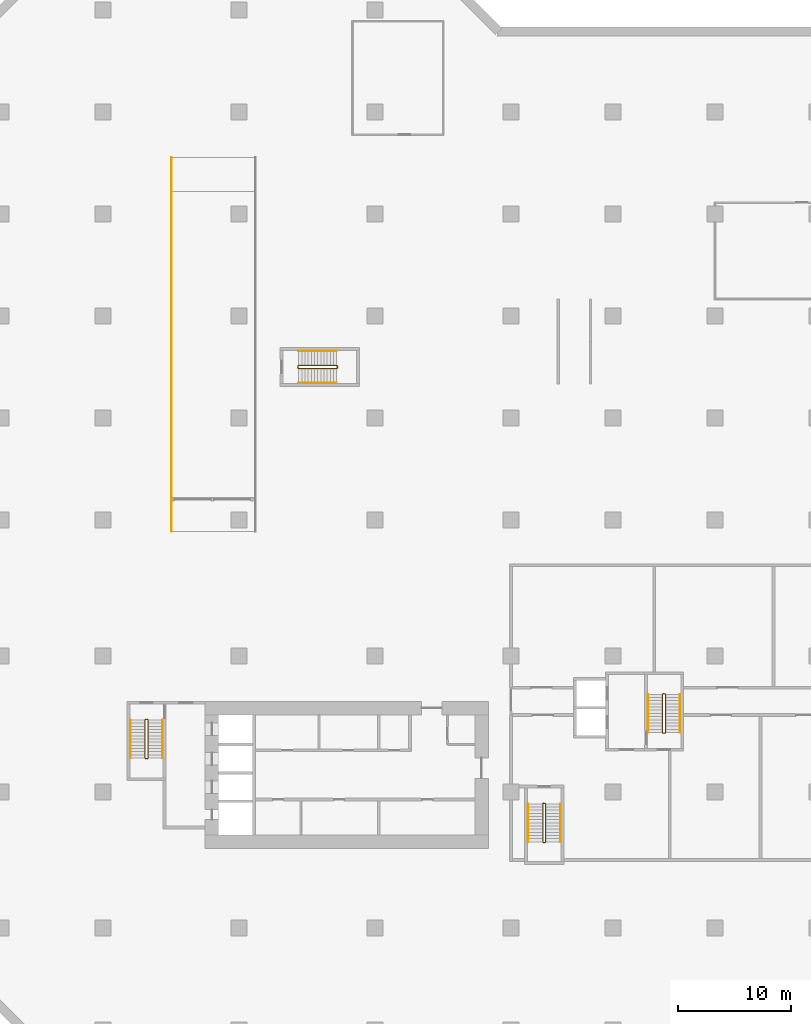
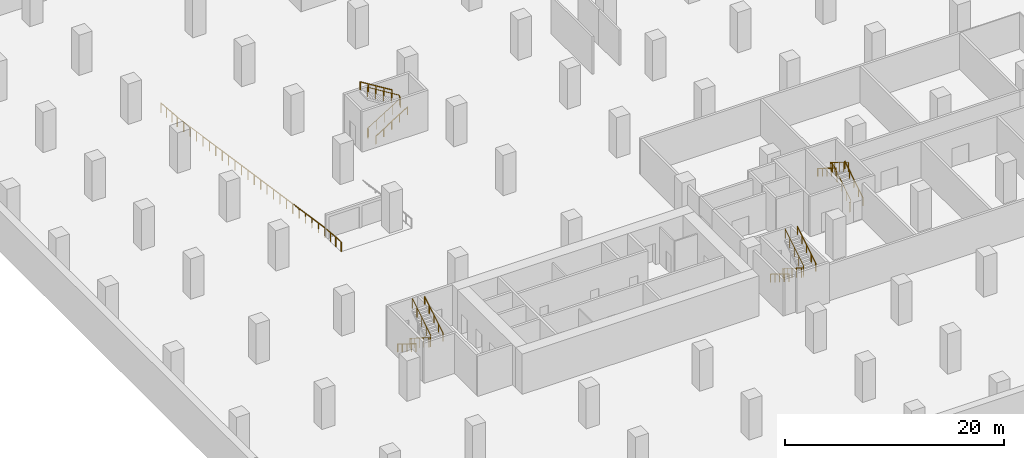
# One storey, part 9 of 10: 13 railings.
"""IFC4 building model written with IfcOpenShell, lengths in metres."""

from ifc_helpers import new_model, si_unit, direction, frame, origin, origin_2d, place, context, subcontext, project, spatial, rectangle, extrude, material, type_object, element, save


model = new_model("IFC4")

# Units and contexts
model_context = context("Model", 3, precision=1e-05, world=origin(), true_north=direction((0.0, 1.0)))
body_context = subcontext(model_context, "Body", "Model", "MODEL_VIEW")
ifc_project = project(units=[si_unit("LENGTHUNIT", "METRE"), si_unit("AREAUNIT", "SQUARE_METRE"), si_unit("VOLUMEUNIT", "CUBIC_METRE"), si_unit("PLANEANGLEUNIT", "RADIAN"), si_unit("MASSUNIT", "GRAM", prefix="KILO")], contexts=[model_context])

# Site, building, storey
site_placement = place(None, origin())
site = spatial("IfcSite", under=ifc_project, at=site_placement, CompositionType="ELEMENT")
building_placement = place(site_placement, origin())
building = spatial("IfcBuilding", under=site, at=building_placement, Name="Chenar Terraces", CompositionType="ELEMENT")
storey_placement = place(building_placement, frame((0.0, 0.0, -9.0)))
storey = spatial("IfcBuildingStorey", under=building, at=storey_placement, Name="B2", CompositionType="ELEMENT", Elevation=-9.0)

# Railings
ifc_material_1 = material(Name="Powder-coated steel", Category="steel")
railing_type_1 = type_object("IfcRailingType", Name="Ramp guard 1100", PredefinedType="GUARDRAIL", material=ifc_material_1)
railing_1_placement = place(storey_placement, frame((6.050048828125, 35.0, 0.0)))
element("IfcRailing", 1, at=railing_1_placement, inside=storey, type_object=railing_type_1, Name="R3 ramp guard west", PredefinedType="GUARDRAIL", context=body_context, shape_type="SweptSolid", body=[
    extrude(rectangle(XDim=0.048095703125, YDim=0.048095703125, at=origin_2d()), frame((0.0, 0.0, 1.076171875), z_axis=(0.0, 0.996545758245, -0.083045479854), x_axis=(-1.0, 0.0, 0.0)), (0.0, 0.0, 1.0), 3.010498046875),
    extrude(rectangle(XDim=0.048095703125, YDim=0.048095703125, at=origin_2d()), frame((0.0, 3.0, 0.826171875), z_axis=(0.0, 0.989203462354, -0.146548661089), x_axis=(-1.0, 0.0, 0.0)), (0.0, 0.0, 1.0), 27.294677734375),
    extrude(rectangle(XDim=0.048095703125, YDim=0.048095703125, at=origin_2d()), frame((0.0, 30.0, -3.173828125), z_axis=(0.0, 0.996545758245, -0.083045479854), x_axis=(-1.0, 0.0, 0.0)), (0.0, 0.0, 1.0), 3.010498046875),
    extrude(rectangle(XDim=0.0419921875, YDim=0.0419921875, at=origin_2d()), origin(), (0.0, 0.0, 1.0), 1.052001953125),
    extrude(rectangle(XDim=0.0419921875, YDim=0.0419921875, at=origin_2d()), frame((0.0, 1.0, -0.083251953125)), (0.0, 0.0, 1.0), 1.052001953125),
    extrude(rectangle(XDim=0.0419921875, YDim=0.0419921875, at=origin_2d()), frame((0.0, 2.0, -0.166748046875)), (0.0, 0.0, 1.0), 1.052001953125),
    extrude(rectangle(XDim=0.0419921875, YDim=0.0419921875, at=origin_2d()), frame((0.0, 3.0, -0.25)), (0.0, 0.0, 1.0), 1.052001953125),
    extrude(rectangle(XDim=0.0419921875, YDim=0.0419921875, at=origin_2d()), frame((0.0, 4.173828125, -0.423828125)), (0.0, 0.0, 1.0), 1.052001953125),
    extrude(rectangle(XDim=0.0419921875, YDim=0.0419921875, at=origin_2d()), frame((0.0, 5.347900390625, -0.597900390625)), (0.0, 0.0, 1.0), 1.052001953125),
    extrude(rectangle(XDim=0.0419921875, YDim=0.0419921875, at=origin_2d()), frame((0.0, 6.521728515625, -0.771728515625)), (0.0, 0.0, 1.0), 1.052001953125),
    extrude(rectangle(XDim=0.0419921875, YDim=0.0419921875, at=origin_2d()), frame((0.0, 7.695556640625, -0.945556640625)), (0.0, 0.0, 1.0), 1.052001953125),
    extrude(rectangle(XDim=0.0419921875, YDim=0.0419921875, at=origin_2d()), frame((0.0, 8.86962890625, -1.11962890625)), (0.0, 0.0, 1.0), 1.052001953125),
    extrude(rectangle(XDim=0.0419921875, YDim=0.0419921875, at=origin_2d()), frame((0.0, 10.04345703125, -1.29345703125)), (0.0, 0.0, 1.0), 1.052001953125),
    extrude(rectangle(XDim=0.0419921875, YDim=0.0419921875, at=origin_2d()), frame((0.0, 11.21728515625, -1.46728515625)), (0.0, 0.0, 1.0), 1.052001953125),
    extrude(rectangle(XDim=0.0419921875, YDim=0.0419921875, at=origin_2d()), frame((0.0, 12.391357421875, -1.641357421875)), (0.0, 0.0, 1.0), 1.052001953125),
    extrude(rectangle(XDim=0.0419921875, YDim=0.0419921875, at=origin_2d()), frame((0.0, 13.565185546875, -1.815185546875)), (0.0, 0.0, 1.0), 1.052001953125),
    extrude(rectangle(XDim=0.0419921875, YDim=0.0419921875, at=origin_2d()), frame((0.0, 14.739013671875, -1.989013671875)), (0.0, 0.0, 1.0), 1.052001953125),
    extrude(rectangle(XDim=0.0419921875, YDim=0.0419921875, at=origin_2d()), frame((0.0, 15.9130859375, -2.1630859375)), (0.0, 0.0, 1.0), 1.052001953125),
    extrude(rectangle(XDim=0.0419921875, YDim=0.0419921875, at=origin_2d()), frame((0.0, 17.0869140625, -2.3369140625)), (0.0, 0.0, 1.0), 1.052001953125),
    extrude(rectangle(XDim=0.0419921875, YDim=0.0419921875, at=origin_2d()), frame((0.0, 18.260986328125, -2.510986328125)), (0.0, 0.0, 1.0), 1.052001953125),
    extrude(rectangle(XDim=0.0419921875, YDim=0.0419921875, at=origin_2d()), frame((0.0, 19.434814453125, -2.684814453125)), (0.0, 0.0, 1.0), 1.052001953125),
    extrude(rectangle(XDim=0.0419921875, YDim=0.0419921875, at=origin_2d()), frame((0.0, 20.608642578125, -2.858642578125)), (0.0, 0.0, 1.0), 1.052001953125),
    extrude(rectangle(XDim=0.0419921875, YDim=0.0419921875, at=origin_2d()), frame((0.0, 21.78271484375, -3.03271484375)), (0.0, 0.0, 1.0), 1.052001953125),
    extrude(rectangle(XDim=0.0419921875, YDim=0.0419921875, at=origin_2d()), frame((0.0, 22.95654296875, -3.20654296875)), (0.0, 0.0, 1.0), 1.052001953125),
    extrude(rectangle(XDim=0.0419921875, YDim=0.0419921875, at=origin_2d()), frame((0.0, 24.13037109375, -3.38037109375)), (0.0, 0.0, 1.0), 1.052001953125),
    extrude(rectangle(XDim=0.0419921875, YDim=0.0419921875, at=origin_2d()), frame((0.0, 25.304443359375, -3.554443359375)), (0.0, 0.0, 1.0), 1.052001953125),
    extrude(rectangle(XDim=0.0419921875, YDim=0.0419921875, at=origin_2d()), frame((0.0, 26.478271484375, -3.728271484375)), (0.0, 0.0, 1.0), 1.052001953125),
    extrude(rectangle(XDim=0.0419921875, YDim=0.0419921875, at=origin_2d()), frame((0.0, 27.652099609375, -3.902099609375)), (0.0, 0.0, 1.0), 1.052001953125),
    extrude(rectangle(XDim=0.0419921875, YDim=0.0419921875, at=origin_2d()), frame((0.0, 28.826171875, -4.076171875)), (0.0, 0.0, 1.0), 1.052001953125),
    extrude(rectangle(XDim=0.0419921875, YDim=0.0419921875, at=origin_2d()), frame((0.0, 30.0, -4.25)), (0.0, 0.0, 1.0), 1.052001953125),
    extrude(rectangle(XDim=0.0419921875, YDim=0.0419921875, at=origin_2d()), frame((0.0, 31.0, -4.333251953125)), (0.0, 0.0, 1.0), 1.052001953125),
    extrude(rectangle(XDim=0.0419921875, YDim=0.0419921875, at=origin_2d()), frame((0.0, 32.0, -4.416748046875)), (0.0, 0.0, 1.0), 1.052001953125),
    extrude(rectangle(XDim=0.0419921875, YDim=0.0419921875, at=origin_2d()), frame((0.0, 33.0, -4.5)), (0.0, 0.0, 1.0), 1.052001953125),
])
ifc_material_2 = material(Name="Powder-coated steel", Category="steel")
railing_type_2 = type_object("IfcRailingType", Name="Stair guard 1100", PredefinedType="GUARDRAIL", material=ifc_material_2)
railing_2_placement = place(storey_placement, frame((3.949951171875, 18.35009765625, 4.5)))
element("IfcRailing", 2, at=railing_2_placement, inside=storey, type_object=railing_type_2, Name="B2 ST1 stair guard 1", PredefinedType="GUARDRAIL", context=body_context, shape_type="SweptSolid", body=[
    extrude(rectangle(XDim=0.048095703125, YDim=0.048095703125, at=origin_2d()), frame((0.0, 0.0, 1.076171875), z_axis=(0.0, -0.850623216509, -0.525775754039), x_axis=(1.0, 0.0, 0.0)), (0.0, 0.0, 1.0), 3.9501953125),
    extrude(rectangle(XDim=0.048095703125, YDim=0.048095703125, at=origin_2d()), frame((0.0, -3.360107421875, -1.0009765625), z_axis=(-0.267629722418, -0.267629722418, -0.925607186314), x_axis=(0.707106781187, -0.707106781187, 0.0)), (0.0, 0.0, 1.0), 0.18701171875),
    extrude(rectangle(XDim=0.048095703125, YDim=0.048095703125, at=origin_2d()), frame((-0.050048828125, -3.41015625, -1.173828125), z_axis=(-1.0, 0.0, 0.0), x_axis=(0.0, -1.0, 0.0)), (0.0, 0.0, 1.0), 0.14990234375),
    extrude(rectangle(XDim=0.048095703125, YDim=0.048095703125, at=origin_2d()), frame((-0.199951171875, -3.41015625, -1.173828125), z_axis=(-0.707106781187, 0.707106781187, 0.0), x_axis=(-0.707106781187, -0.707106781187, 0.0)), (0.0, 0.0, 1.0), 0.07080078125),
    extrude(rectangle(XDim=0.048095703125, YDim=0.048095703125, at=origin_2d()), frame((-0.25, -3.360107421875, -1.173828125), z_axis=(0.0, 0.850623216509, -0.525775754039), x_axis=(-1.0, 0.0, 0.0)), (0.0, 0.0, 1.0), 3.9501953125),
    extrude(rectangle(XDim=0.048095703125, YDim=0.048095703125, at=origin_2d()), frame((-0.25, 0.0, -3.2509765625), z_axis=(0.267723051232, 0.266417085129, -0.925929967433), x_axis=(-0.705375805398, 0.708833529934, 0.0)), (0.0, 0.0, 1.0), 0.18701171875),
    extrude(rectangle(XDim=0.048095703125, YDim=0.048095703125, at=origin_2d()), frame((-0.199951171875, 0.0498046875, -3.423828125), z_axis=(1.0, 0.0, 0.0), x_axis=(0.0, 1.0, 0.0)), (0.0, 0.0, 1.0), 0.14990234375),
    extrude(rectangle(XDim=0.0419921875, YDim=0.0419921875, at=origin_2d()), origin(), (0.0, 0.0, 1.0), 1.052001953125),
    extrude(rectangle(XDim=0.0419921875, YDim=0.0419921875, at=origin_2d()), frame((0.0, -0.840087890625, -0.519287109375)), (0.0, 0.0, 1.0), 1.052001953125),
    extrude(rectangle(XDim=0.0419921875, YDim=0.0419921875, at=origin_2d()), frame((0.0, -1.68017578125, -1.03857421875)), (0.0, 0.0, 1.0), 1.052001953125),
    extrude(rectangle(XDim=0.0419921875, YDim=0.0419921875, at=origin_2d()), frame((0.0, -2.52001953125, -1.5576171875)), (0.0, 0.0, 1.0), 1.052001953125),
    extrude(rectangle(XDim=0.0419921875, YDim=0.0419921875, at=origin_2d()), frame((0.0, -3.360107421875, -2.076904296875)), (0.0, 0.0, 1.0), 1.052001953125),
    extrude(rectangle(XDim=0.0419921875, YDim=0.0419921875, at=origin_2d()), frame((-0.050048828125, -3.41015625, -2.25)), (0.0, 0.0, 1.0), 1.052001953125),
    extrude(rectangle(XDim=0.0419921875, YDim=0.0419921875, at=origin_2d()), frame((-0.199951171875, -3.41015625, -2.25)), (0.0, 0.0, 1.0), 1.052001953125),
    extrude(rectangle(XDim=0.0419921875, YDim=0.0419921875, at=origin_2d()), frame((-0.25, -3.360107421875, -2.25)), (0.0, 0.0, 1.0), 1.052001953125),
    extrude(rectangle(XDim=0.0419921875, YDim=0.0419921875, at=origin_2d()), frame((-0.25, -2.52001953125, -2.769287109375)), (0.0, 0.0, 1.0), 1.052001953125),
    extrude(rectangle(XDim=0.0419921875, YDim=0.0419921875, at=origin_2d()), frame((-0.25, -1.68017578125, -3.28857421875)), (0.0, 0.0, 1.0), 1.052001953125),
    extrude(rectangle(XDim=0.0419921875, YDim=0.0419921875, at=origin_2d()), frame((-0.25, -0.840087890625, -3.8076171875)), (0.0, 0.0, 1.0), 1.052001953125),
    extrude(rectangle(XDim=0.0419921875, YDim=0.0419921875, at=origin_2d()), frame((-0.25, 0.0, -4.326904296875)), (0.0, 0.0, 1.0), 1.052001953125),
    extrude(rectangle(XDim=0.0419921875, YDim=0.0419921875, at=origin_2d()), frame((-0.199951171875, 0.0498046875, -4.5)), (0.0, 0.0, 1.0), 1.052001953125),
    extrude(rectangle(XDim=0.0419921875, YDim=0.0419921875, at=origin_2d()), frame((-0.050048828125, 0.0498046875, -4.5)), (0.0, 0.0, 1.0), 1.052001953125),
])
railing_3_placement = place(storey_placement, frame((39.050048828125, 10.949951171875, 4.5)))
element("IfcRailing", 3, at=railing_3_placement, inside=storey, type_object=railing_type_2, Name="B2 ST2 stair guard 1", PredefinedType="GUARDRAIL", context=body_context, shape_type="SweptSolid", body=[
    extrude(rectangle(XDim=0.048095703125, YDim=0.048095703125, at=origin_2d()), frame((0.0, 0.0, 1.076171875), z_axis=(0.0, -0.850606129759, -0.525803396734), x_axis=(1.0, 0.0, 0.0)), (0.0, 0.0, 1.0), 3.949951171875),
    extrude(rectangle(XDim=0.048095703125, YDim=0.048095703125, at=origin_2d()), frame((0.0, -3.35986328125, -1.0009765625), z_axis=(-0.267629722418, -0.267629722418, -0.925607186314), x_axis=(0.707106781187, -0.707106781187, 0.0)), (0.0, 0.0, 1.0), 0.18701171875),
    extrude(rectangle(XDim=0.048095703125, YDim=0.048095703125, at=origin_2d()), frame((-0.050048828125, -3.409912109375, -1.173828125), z_axis=(-1.0, 0.0, 0.0), x_axis=(0.0, -1.0, 0.0)), (0.0, 0.0, 1.0), 0.14990234375),
    extrude(rectangle(XDim=0.048095703125, YDim=0.048095703125, at=origin_2d()), frame((-0.199951171875, -3.409912109375, -1.173828125), z_axis=(-0.707106781187, 0.707106781187, 0.0), x_axis=(-0.707106781187, -0.707106781187, 0.0)), (0.0, 0.0, 1.0), 0.07080078125),
    extrude(rectangle(XDim=0.048095703125, YDim=0.048095703125, at=origin_2d()), frame((-0.25, -3.35986328125, -1.173828125), z_axis=(0.0, 0.850606129759, -0.525803396734), x_axis=(-1.0, 0.0, 0.0)), (0.0, 0.0, 1.0), 3.949951171875),
    extrude(rectangle(XDim=0.048095703125, YDim=0.048095703125, at=origin_2d()), frame((-0.25, 0.0, -3.2509765625), z_axis=(0.267629722418, 0.267629722418, -0.925607186314), x_axis=(-0.707106781187, 0.707106781187, 0.0)), (0.0, 0.0, 1.0), 0.18701171875),
    extrude(rectangle(XDim=0.048095703125, YDim=0.048095703125, at=origin_2d()), frame((-0.199951171875, 0.050048828125, -3.423828125), z_axis=(1.0, 0.0, 0.0), x_axis=(0.0, 1.0, 0.0)), (0.0, 0.0, 1.0), 0.14990234375),
    extrude(rectangle(XDim=0.0419921875, YDim=0.0419921875, at=origin_2d()), origin(), (0.0, 0.0, 1.0), 1.052001953125),
    extrude(rectangle(XDim=0.0419921875, YDim=0.0419921875, at=origin_2d()), frame((0.0, -0.83984375, -0.519287109375)), (0.0, 0.0, 1.0), 1.052001953125),
    extrude(rectangle(XDim=0.0419921875, YDim=0.0419921875, at=origin_2d()), frame((0.0, -1.679931640625, -1.03857421875)), (0.0, 0.0, 1.0), 1.052001953125),
    extrude(rectangle(XDim=0.0419921875, YDim=0.0419921875, at=origin_2d()), frame((0.0, -2.52001953125, -1.5576171875)), (0.0, 0.0, 1.0), 1.052001953125),
    extrude(rectangle(XDim=0.0419921875, YDim=0.0419921875, at=origin_2d()), frame((0.0, -3.35986328125, -2.076904296875)), (0.0, 0.0, 1.0), 1.052001953125),
    extrude(rectangle(XDim=0.0419921875, YDim=0.0419921875, at=origin_2d()), frame((-0.050048828125, -3.409912109375, -2.25)), (0.0, 0.0, 1.0), 1.052001953125),
    extrude(rectangle(XDim=0.0419921875, YDim=0.0419921875, at=origin_2d()), frame((-0.199951171875, -3.409912109375, -2.25)), (0.0, 0.0, 1.0), 1.052001953125),
    extrude(rectangle(XDim=0.0419921875, YDim=0.0419921875, at=origin_2d()), frame((-0.25, -3.35986328125, -2.25)), (0.0, 0.0, 1.0), 1.052001953125),
    extrude(rectangle(XDim=0.0419921875, YDim=0.0419921875, at=origin_2d()), frame((-0.25, -2.52001953125, -2.769287109375)), (0.0, 0.0, 1.0), 1.052001953125),
    extrude(rectangle(XDim=0.0419921875, YDim=0.0419921875, at=origin_2d()), frame((-0.25, -1.679931640625, -3.28857421875)), (0.0, 0.0, 1.0), 1.052001953125),
    extrude(rectangle(XDim=0.0419921875, YDim=0.0419921875, at=origin_2d()), frame((-0.25, -0.83984375, -3.8076171875)), (0.0, 0.0, 1.0), 1.052001953125),
    extrude(rectangle(XDim=0.0419921875, YDim=0.0419921875, at=origin_2d()), frame((-0.25, 0.0, -4.326904296875)), (0.0, 0.0, 1.0), 1.052001953125),
    extrude(rectangle(XDim=0.0419921875, YDim=0.0419921875, at=origin_2d()), frame((-0.199951171875, 0.050048828125, -4.5)), (0.0, 0.0, 1.0), 1.052001953125),
    extrude(rectangle(XDim=0.0419921875, YDim=0.0419921875, at=origin_2d()), frame((-0.050048828125, 0.050048828125, -4.5)), (0.0, 0.0, 1.0), 1.052001953125),
])
railing_4_placement = place(storey_placement, frame((49.375, 17.25, 4.5)))
element("IfcRailing", 4, at=railing_4_placement, inside=storey, type_object=railing_type_2, Name="B2 ST3 stair guard 1", PredefinedType="GUARDRAIL", context=body_context, shape_type="SweptSolid", body=[
    extrude(rectangle(XDim=0.048095703125, YDim=0.048095703125, at=origin_2d()), frame((0.0, 0.0, 1.076171875), z_axis=(0.0, 0.850623216509, -0.525775754039), x_axis=(-1.0, 0.0, 0.0)), (0.0, 0.0, 1.0), 3.9501953125),
    extrude(rectangle(XDim=0.048095703125, YDim=0.048095703125, at=origin_2d()), frame((0.0, 3.360107421875, -1.0009765625), z_axis=(0.267723051232, 0.266417085129, -0.925929967433), x_axis=(-0.705375805398, 0.708833529934, 0.0)), (0.0, 0.0, 1.0), 0.18701171875),
    extrude(rectangle(XDim=0.048095703125, YDim=0.048095703125, at=origin_2d()), frame((0.050048828125, 3.409912109375, -1.173828125), z_axis=(1.0, 0.0, 0.0), x_axis=(0.0, 1.0, 0.0)), (0.0, 0.0, 1.0), 0.14990234375),
    extrude(rectangle(XDim=0.048095703125, YDim=0.048095703125, at=origin_2d()), frame((0.199951171875, 3.409912109375, -1.173828125), z_axis=(0.708833529934, -0.705375805398, 0.0), x_axis=(0.705375805398, 0.708833529934, 0.0)), (0.0, 0.0, 1.0), 0.070556640625),
    extrude(rectangle(XDim=0.048095703125, YDim=0.048095703125, at=origin_2d()), frame((0.25, 3.360107421875, -1.173828125), z_axis=(0.0, -0.850623216509, -0.525775754039), x_axis=(1.0, 0.0, 0.0)), (0.0, 0.0, 1.0), 3.9501953125),
    extrude(rectangle(XDim=0.048095703125, YDim=0.048095703125, at=origin_2d()), frame((0.25, 0.0, -3.2509765625), z_axis=(-0.267629722418, -0.267629722418, -0.925607186314), x_axis=(0.707106781187, -0.707106781187, 0.0)), (0.0, 0.0, 1.0), 0.18701171875),
    extrude(rectangle(XDim=0.048095703125, YDim=0.048095703125, at=origin_2d()), frame((0.199951171875, -0.050048828125, -3.423828125), z_axis=(-1.0, 0.0, 0.0), x_axis=(0.0, -1.0, 0.0)), (0.0, 0.0, 1.0), 0.14990234375),
    extrude(rectangle(XDim=0.0419921875, YDim=0.0419921875, at=origin_2d()), origin(), (0.0, 0.0, 1.0), 1.052001953125),
    extrude(rectangle(XDim=0.0419921875, YDim=0.0419921875, at=origin_2d()), frame((0.0, 0.840087890625, -0.519287109375)), (0.0, 0.0, 1.0), 1.052001953125),
    extrude(rectangle(XDim=0.0419921875, YDim=0.0419921875, at=origin_2d()), frame((0.0, 1.68017578125, -1.03857421875)), (0.0, 0.0, 1.0), 1.052001953125),
    extrude(rectangle(XDim=0.0419921875, YDim=0.0419921875, at=origin_2d()), frame((0.0, 2.52001953125, -1.5576171875)), (0.0, 0.0, 1.0), 1.052001953125),
    extrude(rectangle(XDim=0.0419921875, YDim=0.0419921875, at=origin_2d()), frame((0.0, 3.360107421875, -2.076904296875)), (0.0, 0.0, 1.0), 1.052001953125),
    extrude(rectangle(XDim=0.0419921875, YDim=0.0419921875, at=origin_2d()), frame((0.050048828125, 3.409912109375, -2.25)), (0.0, 0.0, 1.0), 1.052001953125),
    extrude(rectangle(XDim=0.0419921875, YDim=0.0419921875, at=origin_2d()), frame((0.199951171875, 3.409912109375, -2.25)), (0.0, 0.0, 1.0), 1.052001953125),
    extrude(rectangle(XDim=0.0419921875, YDim=0.0419921875, at=origin_2d()), frame((0.25, 3.360107421875, -2.25)), (0.0, 0.0, 1.0), 1.052001953125),
    extrude(rectangle(XDim=0.0419921875, YDim=0.0419921875, at=origin_2d()), frame((0.25, 2.52001953125, -2.769287109375)), (0.0, 0.0, 1.0), 1.052001953125),
    extrude(rectangle(XDim=0.0419921875, YDim=0.0419921875, at=origin_2d()), frame((0.25, 1.68017578125, -3.28857421875)), (0.0, 0.0, 1.0), 1.052001953125),
    extrude(rectangle(XDim=0.0419921875, YDim=0.0419921875, at=origin_2d()), frame((0.25, 0.840087890625, -3.8076171875)), (0.0, 0.0, 1.0), 1.052001953125),
    extrude(rectangle(XDim=0.0419921875, YDim=0.0419921875, at=origin_2d()), frame((0.25, 0.0, -4.326904296875)), (0.0, 0.0, 1.0), 1.052001953125),
    extrude(rectangle(XDim=0.0419921875, YDim=0.0419921875, at=origin_2d()), frame((0.199951171875, -0.050048828125, -4.5)), (0.0, 0.0, 1.0), 1.052001953125),
    extrude(rectangle(XDim=0.0419921875, YDim=0.0419921875, at=origin_2d()), frame((0.050048828125, -0.050048828125, -4.5)), (0.0, 0.0, 1.0), 1.052001953125),
])
railing_5_placement = place(storey_placement, frame((17.25, 49.625, 4.5)))
element("IfcRailing", 5, at=railing_5_placement, inside=storey, type_object=railing_type_2, Name="B2 ST4 stair guard 1", PredefinedType="GUARDRAIL", context=body_context, shape_type="SweptSolid", body=[
    extrude(rectangle(XDim=0.048095703125, YDim=0.048095703125, at=origin_2d()), frame((0.0, 0.0, 1.076171875), z_axis=(0.850623216509, 0.0, -0.525775754039), x_axis=(0.0, 1.0, 0.0)), (0.0, 0.0, 1.0), 3.9501953125),
    extrude(rectangle(XDim=0.048095703125, YDim=0.048095703125, at=origin_2d()), frame((3.360107421875, 0.0, -1.0009765625), z_axis=(0.266417085129, -0.267723051232, -0.925929967433), x_axis=(0.708833529934, 0.705375805398, 0.0)), (0.0, 0.0, 1.0), 0.18701171875),
    extrude(rectangle(XDim=0.048095703125, YDim=0.048095703125, at=origin_2d()), frame((3.409912109375, -0.050048828125, -1.173828125), z_axis=(0.0, -1.0, 0.0), x_axis=(1.0, 0.0, 0.0)), (0.0, 0.0, 1.0), 0.14990234375),
    extrude(rectangle(XDim=0.048095703125, YDim=0.048095703125, at=origin_2d()), frame((3.409912109375, -0.199951171875, -1.173828125), z_axis=(-0.705375805398, -0.708833529934, 0.0), x_axis=(0.708833529934, -0.705375805398, 0.0)), (0.0, 0.0, 1.0), 0.070556640625),
    extrude(rectangle(XDim=0.048095703125, YDim=0.048095703125, at=origin_2d()), frame((3.360107421875, -0.25, -1.173828125), z_axis=(-0.850623216509, 0.0, -0.525775754039), x_axis=(0.0, -1.0, 0.0)), (0.0, 0.0, 1.0), 3.9501953125),
    extrude(rectangle(XDim=0.048095703125, YDim=0.048095703125, at=origin_2d()), frame((0.0, -0.25, -3.2509765625), z_axis=(-0.267629722418, 0.267629722418, -0.925607186314), x_axis=(-0.707106781187, -0.707106781187, 0.0)), (0.0, 0.0, 1.0), 0.18701171875),
    extrude(rectangle(XDim=0.048095703125, YDim=0.048095703125, at=origin_2d()), frame((-0.050048828125, -0.199951171875, -3.423828125), z_axis=(0.0, 1.0, 0.0), x_axis=(-1.0, 0.0, 0.0)), (0.0, 0.0, 1.0), 0.14990234375),
    extrude(rectangle(XDim=0.0419921875, YDim=0.0419921875, at=origin_2d()), origin(), (0.0, 0.0, 1.0), 1.052001953125),
    extrude(rectangle(XDim=0.0419921875, YDim=0.0419921875, at=origin_2d()), frame((0.840087890625, 0.0, -0.519287109375)), (0.0, 0.0, 1.0), 1.052001953125),
    extrude(rectangle(XDim=0.0419921875, YDim=0.0419921875, at=origin_2d()), frame((1.68017578125, 0.0, -1.03857421875)), (0.0, 0.0, 1.0), 1.052001953125),
    extrude(rectangle(XDim=0.0419921875, YDim=0.0419921875, at=origin_2d()), frame((2.52001953125, 0.0, -1.5576171875)), (0.0, 0.0, 1.0), 1.052001953125),
    extrude(rectangle(XDim=0.0419921875, YDim=0.0419921875, at=origin_2d()), frame((3.360107421875, 0.0, -2.076904296875)), (0.0, 0.0, 1.0), 1.052001953125),
    extrude(rectangle(XDim=0.0419921875, YDim=0.0419921875, at=origin_2d()), frame((3.409912109375, -0.050048828125, -2.25)), (0.0, 0.0, 1.0), 1.052001953125),
    extrude(rectangle(XDim=0.0419921875, YDim=0.0419921875, at=origin_2d()), frame((3.409912109375, -0.199951171875, -2.25)), (0.0, 0.0, 1.0), 1.052001953125),
    extrude(rectangle(XDim=0.0419921875, YDim=0.0419921875, at=origin_2d()), frame((3.360107421875, -0.25, -2.25)), (0.0, 0.0, 1.0), 1.052001953125),
    extrude(rectangle(XDim=0.0419921875, YDim=0.0419921875, at=origin_2d()), frame((2.52001953125, -0.25, -2.769287109375)), (0.0, 0.0, 1.0), 1.052001953125),
    extrude(rectangle(XDim=0.0419921875, YDim=0.0419921875, at=origin_2d()), frame((1.68017578125, -0.25, -3.28857421875)), (0.0, 0.0, 1.0), 1.052001953125),
    extrude(rectangle(XDim=0.0419921875, YDim=0.0419921875, at=origin_2d()), frame((0.840087890625, -0.25, -3.8076171875)), (0.0, 0.0, 1.0), 1.052001953125),
    extrude(rectangle(XDim=0.0419921875, YDim=0.0419921875, at=origin_2d()), frame((0.0, -0.25, -4.326904296875)), (0.0, 0.0, 1.0), 1.052001953125),
    extrude(rectangle(XDim=0.0419921875, YDim=0.0419921875, at=origin_2d()), frame((-0.050048828125, -0.199951171875, -4.5)), (0.0, 0.0, 1.0), 1.052001953125),
    extrude(rectangle(XDim=0.0419921875, YDim=0.0419921875, at=origin_2d()), frame((-0.050048828125, -0.050048828125, -4.5)), (0.0, 0.0, 1.0), 1.052001953125),
])
ifc_material_3 = material(Name="Powder-coated steel", Category="steel")
railing_type_3 = type_object("IfcRailingType", Name="Stair handrail 900", PredefinedType="HANDRAIL", material=ifc_material_3)
railing_6_placement = place(storey_placement, frame((2.39990234375, 18.35009765625, 0.173095703125)))
element("IfcRailing", 6, at=railing_6_placement, inside=storey, type_object=railing_type_3, Name="B2 ST1 stair handrail 1", PredefinedType="HANDRAIL", context=body_context, shape_type="SweptSolid", body=[
    extrude(rectangle(XDim=0.048095703125, YDim=0.048095703125, at=origin_2d()), frame((0.0, 0.0, 0.8759765625), z_axis=(0.0, -0.850623216509, 0.525775754039), x_axis=(1.0, 0.0, 0.0)), (0.0, 0.0, 1.0), 3.9501953125),
    extrude(rectangle(XDim=0.0419921875, YDim=0.0419921875, at=origin_2d()), origin(), (0.0, 0.0, 1.0), 0.851806640625),
    extrude(rectangle(XDim=0.0419921875, YDim=0.0419921875, at=origin_2d()), frame((0.0, -0.840087890625, 0.519287109375)), (0.0, 0.0, 1.0), 0.851806640625),
    extrude(rectangle(XDim=0.0419921875, YDim=0.0419921875, at=origin_2d()), frame((0.0, -1.68017578125, 1.03857421875)), (0.0, 0.0, 1.0), 0.851806640625),
    extrude(rectangle(XDim=0.0419921875, YDim=0.0419921875, at=origin_2d()), frame((0.0, -2.52001953125, 1.5576171875)), (0.0, 0.0, 1.0), 0.851806640625),
    extrude(rectangle(XDim=0.0419921875, YDim=0.0419921875, at=origin_2d()), frame((0.0, -3.360107421875, 2.076904296875)), (0.0, 0.0, 1.0), 0.851806640625),
])
railing_7_placement = place(storey_placement, frame((5.25, 14.989990234375, 2.423095703125)))
element("IfcRailing", 7, at=railing_7_placement, inside=storey, type_object=railing_type_3, Name="B2 ST1 stair handrail 2", PredefinedType="HANDRAIL", context=body_context, shape_type="SweptSolid", body=[
    extrude(rectangle(XDim=0.048095703125, YDim=0.048095703125, at=origin_2d()), frame((0.0, 0.0, 0.8759765625), z_axis=(0.0, 0.850623216509, 0.525775754039), x_axis=(-1.0, 0.0, 0.0)), (0.0, 0.0, 1.0), 3.9501953125),
    extrude(rectangle(XDim=0.0419921875, YDim=0.0419921875, at=origin_2d()), origin(), (0.0, 0.0, 1.0), 0.851806640625),
    extrude(rectangle(XDim=0.0419921875, YDim=0.0419921875, at=origin_2d()), frame((0.0, 0.840087890625, 0.519287109375)), (0.0, 0.0, 1.0), 0.851806640625),
    extrude(rectangle(XDim=0.0419921875, YDim=0.0419921875, at=origin_2d()), frame((0.0, 1.68017578125, 1.03857421875)), (0.0, 0.0, 1.0), 0.851806640625),
    extrude(rectangle(XDim=0.0419921875, YDim=0.0419921875, at=origin_2d()), frame((0.0, 2.52001953125, 1.5576171875)), (0.0, 0.0, 1.0), 0.851806640625),
    extrude(rectangle(XDim=0.0419921875, YDim=0.0419921875, at=origin_2d()), frame((0.0, 3.360107421875, 2.076904296875)), (0.0, 0.0, 1.0), 0.851806640625),
])
railing_8_placement = place(storey_placement, frame((37.5, 10.949951171875, 0.173095703125)))
element("IfcRailing", 8, at=railing_8_placement, inside=storey, type_object=railing_type_3, Name="B2 ST2 stair handrail 1", PredefinedType="HANDRAIL", context=body_context, shape_type="SweptSolid", body=[
    extrude(rectangle(XDim=0.048095703125, YDim=0.048095703125, at=origin_2d()), frame((0.0, 0.0, 0.8759765625), z_axis=(0.0, -0.850606129759, 0.525803396734), x_axis=(1.0, 0.0, 0.0)), (0.0, 0.0, 1.0), 3.949951171875),
    extrude(rectangle(XDim=0.0419921875, YDim=0.0419921875, at=origin_2d()), origin(), (0.0, 0.0, 1.0), 0.851806640625),
    extrude(rectangle(XDim=0.0419921875, YDim=0.0419921875, at=origin_2d()), frame((0.0, -0.83984375, 0.519287109375)), (0.0, 0.0, 1.0), 0.851806640625),
    extrude(rectangle(XDim=0.0419921875, YDim=0.0419921875, at=origin_2d()), frame((0.0, -1.679931640625, 1.03857421875)), (0.0, 0.0, 1.0), 0.851806640625),
    extrude(rectangle(XDim=0.0419921875, YDim=0.0419921875, at=origin_2d()), frame((0.0, -2.52001953125, 1.5576171875)), (0.0, 0.0, 1.0), 0.851806640625),
    extrude(rectangle(XDim=0.0419921875, YDim=0.0419921875, at=origin_2d()), frame((0.0, -3.35986328125, 2.076904296875)), (0.0, 0.0, 1.0), 0.851806640625),
])
railing_9_placement = place(storey_placement, frame((40.35009765625, 7.590087890625, 2.423095703125)))
element("IfcRailing", 9, at=railing_9_placement, inside=storey, type_object=railing_type_3, Name="B2 ST2 stair handrail 2", PredefinedType="HANDRAIL", context=body_context, shape_type="SweptSolid", body=[
    extrude(rectangle(XDim=0.048095703125, YDim=0.048095703125, at=origin_2d()), frame((0.0, 0.0, 0.8759765625), z_axis=(0.0, 0.850606129759, 0.525803396734), x_axis=(-1.0, 0.0, 0.0)), (0.0, 0.0, 1.0), 3.949951171875),
    extrude(rectangle(XDim=0.0419921875, YDim=0.0419921875, at=origin_2d()), origin(), (0.0, 0.0, 1.0), 0.851806640625),
    extrude(rectangle(XDim=0.0419921875, YDim=0.0419921875, at=origin_2d()), frame((0.0, 0.83984375, 0.519287109375)), (0.0, 0.0, 1.0), 0.851806640625),
    extrude(rectangle(XDim=0.0419921875, YDim=0.0419921875, at=origin_2d()), frame((0.0, 1.679931640625, 1.03857421875)), (0.0, 0.0, 1.0), 0.851806640625),
    extrude(rectangle(XDim=0.0419921875, YDim=0.0419921875, at=origin_2d()), frame((0.0, 2.52001953125, 1.5576171875)), (0.0, 0.0, 1.0), 0.851806640625),
    extrude(rectangle(XDim=0.0419921875, YDim=0.0419921875, at=origin_2d()), frame((0.0, 3.35986328125, 2.076904296875)), (0.0, 0.0, 1.0), 0.851806640625),
])
railing_10_placement = place(storey_placement, frame((50.925048828125, 17.25, 0.173095703125)))
element("IfcRailing", 10, at=railing_10_placement, inside=storey, type_object=railing_type_3, Name="B2 ST3 stair handrail 1", PredefinedType="HANDRAIL", context=body_context, shape_type="SweptSolid", body=[
    extrude(rectangle(XDim=0.048095703125, YDim=0.048095703125, at=origin_2d()), frame((0.0, 0.0, 0.8759765625), z_axis=(0.0, 0.850623216509, 0.525775754039), x_axis=(-1.0, 0.0, 0.0)), (0.0, 0.0, 1.0), 3.9501953125),
    extrude(rectangle(XDim=0.0419921875, YDim=0.0419921875, at=origin_2d()), origin(), (0.0, 0.0, 1.0), 0.851806640625),
    extrude(rectangle(XDim=0.0419921875, YDim=0.0419921875, at=origin_2d()), frame((0.0, 0.840087890625, 0.519287109375)), (0.0, 0.0, 1.0), 0.851806640625),
    extrude(rectangle(XDim=0.0419921875, YDim=0.0419921875, at=origin_2d()), frame((0.0, 1.68017578125, 1.03857421875)), (0.0, 0.0, 1.0), 0.851806640625),
    extrude(rectangle(XDim=0.0419921875, YDim=0.0419921875, at=origin_2d()), frame((0.0, 2.52001953125, 1.5576171875)), (0.0, 0.0, 1.0), 0.851806640625),
    extrude(rectangle(XDim=0.0419921875, YDim=0.0419921875, at=origin_2d()), frame((0.0, 3.360107421875, 2.076904296875)), (0.0, 0.0, 1.0), 0.851806640625),
])
railing_11_placement = place(storey_placement, frame((48.074951171875, 20.610107421875, 2.423095703125)))
element("IfcRailing", 11, at=railing_11_placement, inside=storey, type_object=railing_type_3, Name="B2 ST3 stair handrail 2", PredefinedType="HANDRAIL", context=body_context, shape_type="SweptSolid", body=[
    extrude(rectangle(XDim=0.048095703125, YDim=0.048095703125, at=origin_2d()), frame((0.0, 0.0, 0.8759765625), z_axis=(0.0, -0.850623216509, 0.525775754039), x_axis=(1.0, 0.0, 0.0)), (0.0, 0.0, 1.0), 3.9501953125),
    extrude(rectangle(XDim=0.0419921875, YDim=0.0419921875, at=origin_2d()), origin(), (0.0, 0.0, 1.0), 0.851806640625),
    extrude(rectangle(XDim=0.0419921875, YDim=0.0419921875, at=origin_2d()), frame((0.0, -0.840087890625, 0.519287109375)), (0.0, 0.0, 1.0), 0.851806640625),
    extrude(rectangle(XDim=0.0419921875, YDim=0.0419921875, at=origin_2d()), frame((0.0, -1.68017578125, 1.03857421875)), (0.0, 0.0, 1.0), 0.851806640625),
    extrude(rectangle(XDim=0.0419921875, YDim=0.0419921875, at=origin_2d()), frame((0.0, -2.52001953125, 1.5576171875)), (0.0, 0.0, 1.0), 0.851806640625),
    extrude(rectangle(XDim=0.0419921875, YDim=0.0419921875, at=origin_2d()), frame((0.0, -3.360107421875, 2.076904296875)), (0.0, 0.0, 1.0), 0.851806640625),
])
railing_12_placement = place(storey_placement, frame((17.25, 48.074951171875, 0.173095703125)))
element("IfcRailing", 12, at=railing_12_placement, inside=storey, type_object=railing_type_3, Name="B2 ST4 stair handrail 1", PredefinedType="HANDRAIL", context=body_context, shape_type="SweptSolid", body=[
    extrude(rectangle(XDim=0.048095703125, YDim=0.048095703125, at=origin_2d()), frame((0.0, 0.0, 0.8759765625), z_axis=(0.850623216509, 0.0, 0.525775754039), x_axis=(0.0, 1.0, 0.0)), (0.0, 0.0, 1.0), 3.9501953125),
    extrude(rectangle(XDim=0.0419921875, YDim=0.0419921875, at=origin_2d()), origin(), (0.0, 0.0, 1.0), 0.851806640625),
    extrude(rectangle(XDim=0.0419921875, YDim=0.0419921875, at=origin_2d()), frame((0.840087890625, 0.0, 0.519287109375)), (0.0, 0.0, 1.0), 0.851806640625),
    extrude(rectangle(XDim=0.0419921875, YDim=0.0419921875, at=origin_2d()), frame((1.68017578125, 0.0, 1.03857421875)), (0.0, 0.0, 1.0), 0.851806640625),
    extrude(rectangle(XDim=0.0419921875, YDim=0.0419921875, at=origin_2d()), frame((2.52001953125, 0.0, 1.5576171875)), (0.0, 0.0, 1.0), 0.851806640625),
    extrude(rectangle(XDim=0.0419921875, YDim=0.0419921875, at=origin_2d()), frame((3.360107421875, 0.0, 2.076904296875)), (0.0, 0.0, 1.0), 0.851806640625),
])
railing_13_placement = place(storey_placement, frame((20.610107421875, 50.925048828125, 2.423095703125)))
element("IfcRailing", 13, at=railing_13_placement, inside=storey, type_object=railing_type_3, Name="B2 ST4 stair handrail 2", PredefinedType="HANDRAIL", context=body_context, shape_type="SweptSolid", body=[
    extrude(rectangle(XDim=0.048095703125, YDim=0.048095703125, at=origin_2d()), frame((0.0, 0.0, 0.8759765625), z_axis=(-0.850623216509, 0.0, 0.525775754039), x_axis=(0.0, -1.0, 0.0)), (0.0, 0.0, 1.0), 3.9501953125),
    extrude(rectangle(XDim=0.0419921875, YDim=0.0419921875, at=origin_2d()), origin(), (0.0, 0.0, 1.0), 0.851806640625),
    extrude(rectangle(XDim=0.0419921875, YDim=0.0419921875, at=origin_2d()), frame((-0.840087890625, 0.0, 0.519287109375)), (0.0, 0.0, 1.0), 0.851806640625),
    extrude(rectangle(XDim=0.0419921875, YDim=0.0419921875, at=origin_2d()), frame((-1.68017578125, 0.0, 1.03857421875)), (0.0, 0.0, 1.0), 0.851806640625),
    extrude(rectangle(XDim=0.0419921875, YDim=0.0419921875, at=origin_2d()), frame((-2.52001953125, 0.0, 1.5576171875)), (0.0, 0.0, 1.0), 0.851806640625),
    extrude(rectangle(XDim=0.0419921875, YDim=0.0419921875, at=origin_2d()), frame((-3.360107421875, 0.0, 2.076904296875)), (0.0, 0.0, 1.0), 0.851806640625),
])

save(model, "model.ifc")
